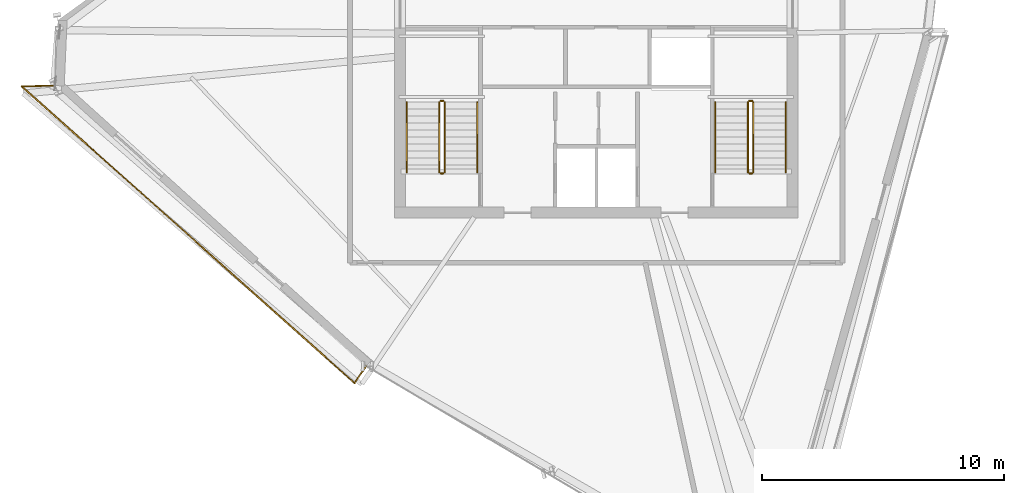
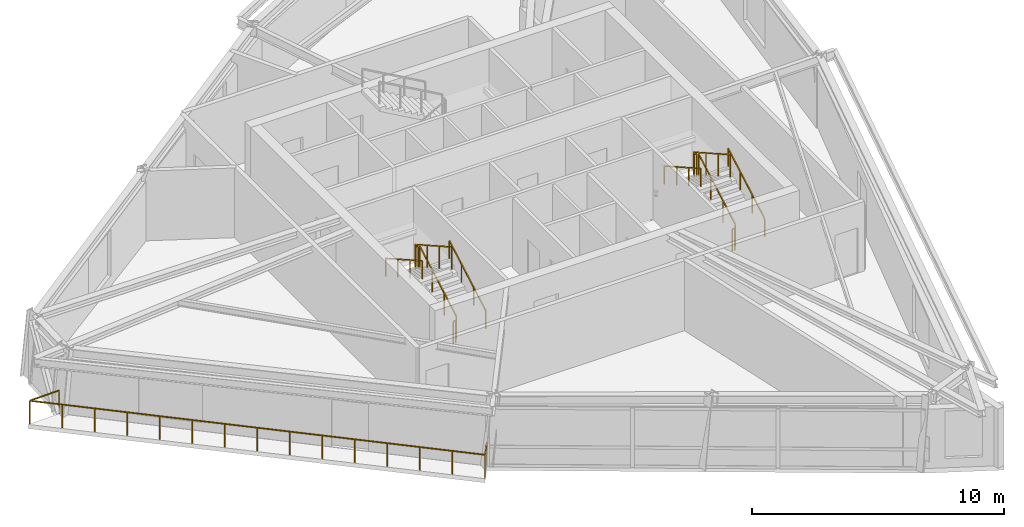
# One storey, part 12 of 14: 13 railings.
"""IFC4 building model written with IfcOpenShell, lengths in metres."""

from ifc_helpers import new_model, si_unit, direction, frame, origin, origin_2d, place, context, subcontext, project, spatial, rectangle, extrude, material, type_object, element, save


model = new_model("IFC4")

# Units and contexts
model_context = context("Model", 3, precision=1e-05, world=origin(), true_north=direction((0.0, 1.0)))
body_context = subcontext(model_context, "Body", "Model", "MODEL_VIEW")
ifc_project = project(units=[si_unit("LENGTHUNIT", "METRE"), si_unit("AREAUNIT", "SQUARE_METRE"), si_unit("VOLUMEUNIT", "CUBIC_METRE"), si_unit("PLANEANGLEUNIT", "RADIAN"), si_unit("MASSUNIT", "GRAM", prefix="KILO")], contexts=[model_context])

# Site, building, storey
site_placement = place(None, origin())
site = spatial("IfcSite", under=ifc_project, at=site_placement, CompositionType="ELEMENT")
building_placement = place(site_placement, origin())
building = spatial("IfcBuilding", under=site, at=building_placement, Name="Olszyna Solenne Hotel", CompositionType="ELEMENT")
storey_placement = place(building_placement, frame((0.0, 0.0, 259.699951171875)))
storey = spatial("IfcBuildingStorey", under=building, at=storey_placement, Name="L69", CompositionType="ELEMENT", Elevation=259.699951171875)

# Railings
ifc_material_1 = material(Name="Anodised bronze aluminium", Category="aluminium")
railing_type_1 = type_object("IfcRailingType", Name="GR-110", PredefinedType="BALUSTRADE", material=ifc_material_1)
railing_1_placement = place(storey_placement, frame((15.58984375, 24.537353515625, 0.0)))
element("IfcRailing", 1, at=railing_1_placement, inside=storey, type_object=railing_type_1, Name="Loggia balcony balustrade guard GR-L69-LG2", PredefinedType="BALUSTRADE", context=body_context, shape_type="SweptSolid", body=[
    extrude(rectangle(XDim=0.048095703125, YDim=0.048095703125, at=origin_2d()), frame((0.0, 0.0, 1.1259765625), z_axis=(-0.999675141716, -0.025487468202, 0.0), x_axis=(0.025487468202, -0.999675141716, 0.0)), (0.0, 0.0, 1.0), 1.37939453125),
    extrude(rectangle(XDim=0.048095703125, YDim=0.048095703125, at=origin_2d()), frame((-1.37890625, -0.03515625, 1.1259765625), z_axis=(0.746533695005, -0.665347610068, 0.0), x_axis=(0.665347610068, 0.746533695005, 0.0)), (0.0, 0.0, 1.0), 18.4580078125),
    extrude(rectangle(XDim=0.048095703125, YDim=0.048095703125, at=origin_2d()), frame((12.400634765625, -12.316162109375, 1.1259765625), z_axis=(0.568804733739, 0.822472598253, 0.0), x_axis=(-0.822472598253, 0.568804733739, 0.0)), (0.0, 0.0, 1.0), 0.845947265625),
    extrude(rectangle(XDim=0.0419921875, YDim=0.0419921875, at=origin_2d()), origin(), (0.0, 0.0, 1.0), 1.101806640625),
    extrude(rectangle(XDim=0.0419921875, YDim=0.0419921875, at=origin_2d()), frame((-1.37890625, -0.03515625, 0.0)), (0.0, 0.0, 1.0), 1.101806640625),
    extrude(rectangle(XDim=0.0419921875, YDim=0.0419921875, at=origin_2d()), frame((-0.39453125, -0.912353515625, 0.0)), (0.0, 0.0, 1.0), 1.101806640625),
    extrude(rectangle(XDim=0.0419921875, YDim=0.0419921875, at=origin_2d()), frame((0.589599609375, -1.78955078125, 0.0)), (0.0, 0.0, 1.0), 1.101806640625),
    extrude(rectangle(XDim=0.0419921875, YDim=0.0419921875, at=origin_2d()), frame((1.57373046875, -2.666748046875, 0.0)), (0.0, 0.0, 1.0), 1.101806640625),
    extrude(rectangle(XDim=0.0419921875, YDim=0.0419921875, at=origin_2d()), frame((2.55810546875, -3.5439453125, 0.0)), (0.0, 0.0, 1.0), 1.101806640625),
    extrude(rectangle(XDim=0.0419921875, YDim=0.0419921875, at=origin_2d()), frame((3.54248046875, -4.421142578125, 0.0)), (0.0, 0.0, 1.0), 1.101806640625),
    extrude(rectangle(XDim=0.0419921875, YDim=0.0419921875, at=origin_2d()), frame((4.526611328125, -5.29833984375, 0.0)), (0.0, 0.0, 1.0), 1.101806640625),
    extrude(rectangle(XDim=0.0419921875, YDim=0.0419921875, at=origin_2d()), frame((5.5107421875, -6.17578125, 0.0)), (0.0, 0.0, 1.0), 1.101806640625),
    extrude(rectangle(XDim=0.0419921875, YDim=0.0419921875, at=origin_2d()), frame((6.4951171875, -7.052978515625, 0.0)), (0.0, 0.0, 1.0), 1.101806640625),
    extrude(rectangle(XDim=0.0419921875, YDim=0.0419921875, at=origin_2d()), frame((7.4794921875, -7.93017578125, 0.0)), (0.0, 0.0, 1.0), 1.101806640625),
    extrude(rectangle(XDim=0.0419921875, YDim=0.0419921875, at=origin_2d()), frame((8.463623046875, -8.807373046875, 0.0)), (0.0, 0.0, 1.0), 1.101806640625),
    extrude(rectangle(XDim=0.0419921875, YDim=0.0419921875, at=origin_2d()), frame((9.44775390625, -9.6845703125, 0.0)), (0.0, 0.0, 1.0), 1.101806640625),
    extrude(rectangle(XDim=0.0419921875, YDim=0.0419921875, at=origin_2d()), frame((10.43212890625, -10.561767578125, 0.0)), (0.0, 0.0, 1.0), 1.101806640625),
    extrude(rectangle(XDim=0.0419921875, YDim=0.0419921875, at=origin_2d()), frame((11.41650390625, -11.43896484375, 0.0)), (0.0, 0.0, 1.0), 1.101806640625),
    extrude(rectangle(XDim=0.0419921875, YDim=0.0419921875, at=origin_2d()), frame((12.400634765625, -12.316162109375, 0.0)), (0.0, 0.0, 1.0), 1.101806640625),
    extrude(rectangle(XDim=0.0419921875, YDim=0.0419921875, at=origin_2d()), frame((12.8818359375, -11.620361328125, 0.0)), (0.0, 0.0, 1.0), 1.101806640625),
])
railing_2_placement = place(storey_placement, frame((31.719970703125, 20.949951171875, 0.16357421875)))
element("IfcRailing", 2, at=railing_2_placement, inside=storey, type_object=railing_type_1, Name="L69 ST1 stair guard 1", PredefinedType="BALUSTRADE", context=body_context, shape_type="SweptSolid", body=[
    extrude(rectangle(XDim=0.048095703125, YDim=0.048095703125, at=origin_2d()), frame((0.0, 0.0, 1.076171875), z_axis=(0.0, 0.870914908162, 0.491433843708), x_axis=(-1.0, 0.0, 0.0)), (0.0, 0.0, 1.0), 3.330078125),
    extrude(rectangle(XDim=0.0419921875, YDim=0.0419921875, at=origin_2d()), origin(), (0.0, 0.0, 1.0), 1.052001953125),
    extrude(rectangle(XDim=0.0419921875, YDim=0.0419921875, at=origin_2d()), frame((0.0, 0.966796875, 0.54541015625)), (0.0, 0.0, 1.0), 1.052001953125),
    extrude(rectangle(XDim=0.0419921875, YDim=0.0419921875, at=origin_2d()), frame((0.0, 1.933349609375, 1.091064453125)), (0.0, 0.0, 1.0), 1.052001953125),
    extrude(rectangle(XDim=0.0419921875, YDim=0.0419921875, at=origin_2d()), frame((0.0, 2.900146484375, 1.636474609375)), (0.0, 0.0, 1.0), 1.052001953125),
])
railing_3_placement = place(storey_placement, frame((31.669921875, 23.89990234375, 1.800048828125)))
element("IfcRailing", 3, at=railing_3_placement, inside=storey, type_object=railing_type_1, Name="L69 ST1 stair guard 2", PredefinedType="BALUSTRADE", context=body_context, shape_type="SweptSolid", body=[
    extrude(rectangle(XDim=0.048095703125, YDim=0.048095703125, at=origin_2d()), frame((0.0, 0.0, 1.076171875), z_axis=(-1.0, 0.0, 0.0), x_axis=(0.0, -1.0, 0.0)), (0.0, 0.0, 1.0), 0.119873046875),
    extrude(rectangle(XDim=0.0419921875, YDim=0.0419921875, at=origin_2d()), origin(), (0.0, 0.0, 1.0), 1.052001953125),
    extrude(rectangle(XDim=0.0419921875, YDim=0.0419921875, at=origin_2d()), frame((-0.119873046875, 0.0, 0.0)), (0.0, 0.0, 1.0), 1.052001953125),
])
railing_4_placement = place(storey_placement, frame((31.5, 23.85009765625, 1.963623046875)))
element("IfcRailing", 4, at=railing_4_placement, inside=storey, type_object=railing_type_1, Name="L69 ST1 stair guard 3", PredefinedType="BALUSTRADE", context=body_context, shape_type="SweptSolid", body=[
    extrude(rectangle(XDim=0.048095703125, YDim=0.048095703125, at=origin_2d()), frame((0.0, 0.0, 1.076171875), z_axis=(0.0, -0.870914908162, 0.491433843708), x_axis=(1.0, 0.0, 0.0)), (0.0, 0.0, 1.0), 3.330078125),
    extrude(rectangle(XDim=0.0419921875, YDim=0.0419921875, at=origin_2d()), origin(), (0.0, 0.0, 1.0), 1.052001953125),
    extrude(rectangle(XDim=0.0419921875, YDim=0.0419921875, at=origin_2d()), frame((0.0, -0.966796875, 0.54541015625)), (0.0, 0.0, 1.0), 1.052001953125),
    extrude(rectangle(XDim=0.0419921875, YDim=0.0419921875, at=origin_2d()), frame((0.0, -1.933349609375, 1.091064453125)), (0.0, 0.0, 1.0), 1.052001953125),
    extrude(rectangle(XDim=0.0419921875, YDim=0.0419921875, at=origin_2d()), frame((0.0, -2.900146484375, 1.636474609375)), (0.0, 0.0, 1.0), 1.052001953125),
])
railing_5_placement = place(storey_placement, frame((31.669921875, 20.89990234375, 0.0)))
element("IfcRailing", 5, at=railing_5_placement, inside=storey, type_object=railing_type_1, Name="L69 ST1 stair guard 4", PredefinedType="BALUSTRADE", context=body_context, shape_type="SweptSolid", body=[
    extrude(rectangle(XDim=0.048095703125, YDim=0.048095703125, at=origin_2d()), frame((0.0, 0.0, 1.076171875), z_axis=(-1.0, 0.0, 0.0), x_axis=(0.0, -1.0, 0.0)), (0.0, 0.0, 1.0), 0.119873046875),
    extrude(rectangle(XDim=0.0419921875, YDim=0.0419921875, at=origin_2d()), origin(), (0.0, 0.0, 1.0), 1.052001953125),
    extrude(rectangle(XDim=0.0419921875, YDim=0.0419921875, at=origin_2d()), frame((-0.119873046875, 0.0, 0.0)), (0.0, 0.0, 1.0), 1.052001953125),
])
railing_6_placement = place(storey_placement, frame((44.5, 20.949951171875, 0.16357421875)))
element("IfcRailing", 6, at=railing_6_placement, inside=storey, type_object=railing_type_1, Name="L69 ST2 stair guard 1", PredefinedType="BALUSTRADE", context=body_context, shape_type="SweptSolid", body=[
    extrude(rectangle(XDim=0.048095703125, YDim=0.048095703125, at=origin_2d()), frame((0.0, 0.0, 1.076171875), z_axis=(0.0, 0.870914908162, 0.491433843708), x_axis=(-1.0, 0.0, 0.0)), (0.0, 0.0, 1.0), 3.330078125),
    extrude(rectangle(XDim=0.0419921875, YDim=0.0419921875, at=origin_2d()), origin(), (0.0, 0.0, 1.0), 1.052001953125),
    extrude(rectangle(XDim=0.0419921875, YDim=0.0419921875, at=origin_2d()), frame((0.0, 0.966796875, 0.54541015625)), (0.0, 0.0, 1.0), 1.052001953125),
    extrude(rectangle(XDim=0.0419921875, YDim=0.0419921875, at=origin_2d()), frame((0.0, 1.933349609375, 1.091064453125)), (0.0, 0.0, 1.0), 1.052001953125),
    extrude(rectangle(XDim=0.0419921875, YDim=0.0419921875, at=origin_2d()), frame((0.0, 2.900146484375, 1.636474609375)), (0.0, 0.0, 1.0), 1.052001953125),
])
railing_7_placement = place(storey_placement, frame((44.449951171875, 23.89990234375, 1.800048828125)))
element("IfcRailing", 7, at=railing_7_placement, inside=storey, type_object=railing_type_1, Name="L69 ST2 stair guard 2", PredefinedType="BALUSTRADE", context=body_context, shape_type="SweptSolid", body=[
    extrude(rectangle(XDim=0.048095703125, YDim=0.048095703125, at=origin_2d()), frame((0.0, 0.0, 1.076171875), z_axis=(-1.0, 0.0, 0.0), x_axis=(0.0, -1.0, 0.0)), (0.0, 0.0, 1.0), 0.119873046875),
    extrude(rectangle(XDim=0.0419921875, YDim=0.0419921875, at=origin_2d()), origin(), (0.0, 0.0, 1.0), 1.052001953125),
    extrude(rectangle(XDim=0.0419921875, YDim=0.0419921875, at=origin_2d()), frame((-0.119873046875, 0.0, 0.0)), (0.0, 0.0, 1.0), 1.052001953125),
])
railing_8_placement = place(storey_placement, frame((44.280029296875, 23.85009765625, 1.963623046875)))
element("IfcRailing", 8, at=railing_8_placement, inside=storey, type_object=railing_type_1, Name="L69 ST2 stair guard 3", PredefinedType="BALUSTRADE", context=body_context, shape_type="SweptSolid", body=[
    extrude(rectangle(XDim=0.048095703125, YDim=0.048095703125, at=origin_2d()), frame((0.0, 0.0, 1.076171875), z_axis=(0.0, -0.870914908162, 0.491433843708), x_axis=(1.0, 0.0, 0.0)), (0.0, 0.0, 1.0), 3.330078125),
    extrude(rectangle(XDim=0.0419921875, YDim=0.0419921875, at=origin_2d()), origin(), (0.0, 0.0, 1.0), 1.052001953125),
    extrude(rectangle(XDim=0.0419921875, YDim=0.0419921875, at=origin_2d()), frame((0.0, -0.966796875, 0.54541015625)), (0.0, 0.0, 1.0), 1.052001953125),
    extrude(rectangle(XDim=0.0419921875, YDim=0.0419921875, at=origin_2d()), frame((0.0, -1.933349609375, 1.091064453125)), (0.0, 0.0, 1.0), 1.052001953125),
    extrude(rectangle(XDim=0.0419921875, YDim=0.0419921875, at=origin_2d()), frame((0.0, -2.900146484375, 1.636474609375)), (0.0, 0.0, 1.0), 1.052001953125),
])
railing_9_placement = place(storey_placement, frame((44.449951171875, 20.89990234375, 0.0)))
element("IfcRailing", 9, at=railing_9_placement, inside=storey, type_object=railing_type_1, Name="L69 ST2 stair guard 4", PredefinedType="BALUSTRADE", context=body_context, shape_type="SweptSolid", body=[
    extrude(rectangle(XDim=0.048095703125, YDim=0.048095703125, at=origin_2d()), frame((0.0, 0.0, 1.076171875), z_axis=(-1.0, 0.0, 0.0), x_axis=(0.0, -1.0, 0.0)), (0.0, 0.0, 1.0), 0.119873046875),
    extrude(rectangle(XDim=0.0419921875, YDim=0.0419921875, at=origin_2d()), origin(), (0.0, 0.0, 1.0), 1.052001953125),
    extrude(rectangle(XDim=0.0419921875, YDim=0.0419921875, at=origin_2d()), frame((-0.119873046875, 0.0, 0.0)), (0.0, 0.0, 1.0), 1.052001953125),
])
ifc_material_2 = material(Name="Steel S355J2", Category="steel")
railing_type_2 = type_object("IfcRailingType", Name="HR-090", PredefinedType="HANDRAIL", material=ifc_material_2)
railing_10_placement = place(storey_placement, frame((33.070068359375, 20.949951171875, 0.16357421875)))
element("IfcRailing", 10, at=railing_10_placement, inside=storey, type_object=railing_type_2, Name="L69 ST1 stair handrail 1", PredefinedType="HANDRAIL", context=body_context, shape_type="SweptSolid", body=[
    extrude(rectangle(XDim=0.048095703125, YDim=0.048095703125, at=origin_2d()), frame((0.0, 0.0, 0.8759765625), z_axis=(0.0, 0.870914908162, 0.491433843708), x_axis=(-1.0, 0.0, 0.0)), (0.0, 0.0, 1.0), 3.330078125),
    extrude(rectangle(XDim=0.0419921875, YDim=0.0419921875, at=origin_2d()), origin(), (0.0, 0.0, 1.0), 0.851806640625),
    extrude(rectangle(XDim=0.0419921875, YDim=0.0419921875, at=origin_2d()), frame((0.0, 0.966796875, 0.54541015625)), (0.0, 0.0, 1.0), 0.851806640625),
    extrude(rectangle(XDim=0.0419921875, YDim=0.0419921875, at=origin_2d()), frame((0.0, 1.933349609375, 1.091064453125)), (0.0, 0.0, 1.0), 0.851806640625),
    extrude(rectangle(XDim=0.0419921875, YDim=0.0419921875, at=origin_2d()), frame((0.0, 2.900146484375, 1.636474609375)), (0.0, 0.0, 1.0), 0.851806640625),
])
railing_11_placement = place(storey_placement, frame((30.14990234375, 23.85009765625, 1.963623046875)))
element("IfcRailing", 11, at=railing_11_placement, inside=storey, type_object=railing_type_2, Name="L69 ST1 stair handrail 2", PredefinedType="HANDRAIL", context=body_context, shape_type="SweptSolid", body=[
    extrude(rectangle(XDim=0.048095703125, YDim=0.048095703125, at=origin_2d()), frame((0.0, 0.0, 0.8759765625), z_axis=(0.0, -0.870914908162, 0.491433843708), x_axis=(1.0, 0.0, 0.0)), (0.0, 0.0, 1.0), 3.330078125),
    extrude(rectangle(XDim=0.0419921875, YDim=0.0419921875, at=origin_2d()), origin(), (0.0, 0.0, 1.0), 0.851806640625),
    extrude(rectangle(XDim=0.0419921875, YDim=0.0419921875, at=origin_2d()), frame((0.0, -0.966796875, 0.54541015625)), (0.0, 0.0, 1.0), 0.851806640625),
    extrude(rectangle(XDim=0.0419921875, YDim=0.0419921875, at=origin_2d()), frame((0.0, -1.933349609375, 1.091064453125)), (0.0, 0.0, 1.0), 0.851806640625),
    extrude(rectangle(XDim=0.0419921875, YDim=0.0419921875, at=origin_2d()), frame((0.0, -2.900146484375, 1.636474609375)), (0.0, 0.0, 1.0), 0.851806640625),
])
railing_12_placement = place(storey_placement, frame((45.85009765625, 20.949951171875, 0.16357421875)))
element("IfcRailing", 12, at=railing_12_placement, inside=storey, type_object=railing_type_2, Name="L69 ST2 stair handrail 1", PredefinedType="HANDRAIL", context=body_context, shape_type="SweptSolid", body=[
    extrude(rectangle(XDim=0.048095703125, YDim=0.048095703125, at=origin_2d()), frame((0.0, 0.0, 0.8759765625), z_axis=(0.0, 0.870914908162, 0.491433843708), x_axis=(-1.0, 0.0, 0.0)), (0.0, 0.0, 1.0), 3.330078125),
    extrude(rectangle(XDim=0.0419921875, YDim=0.0419921875, at=origin_2d()), origin(), (0.0, 0.0, 1.0), 0.851806640625),
    extrude(rectangle(XDim=0.0419921875, YDim=0.0419921875, at=origin_2d()), frame((0.0, 0.966796875, 0.54541015625)), (0.0, 0.0, 1.0), 0.851806640625),
    extrude(rectangle(XDim=0.0419921875, YDim=0.0419921875, at=origin_2d()), frame((0.0, 1.933349609375, 1.091064453125)), (0.0, 0.0, 1.0), 0.851806640625),
    extrude(rectangle(XDim=0.0419921875, YDim=0.0419921875, at=origin_2d()), frame((0.0, 2.900146484375, 1.636474609375)), (0.0, 0.0, 1.0), 0.851806640625),
])
railing_13_placement = place(storey_placement, frame((42.929931640625, 23.85009765625, 1.963623046875)))
element("IfcRailing", 13, at=railing_13_placement, inside=storey, type_object=railing_type_2, Name="L69 ST2 stair handrail 2", PredefinedType="HANDRAIL", context=body_context, shape_type="SweptSolid", body=[
    extrude(rectangle(XDim=0.048095703125, YDim=0.048095703125, at=origin_2d()), frame((0.0, 0.0, 0.8759765625), z_axis=(0.0, -0.870914908162, 0.491433843708), x_axis=(1.0, 0.0, 0.0)), (0.0, 0.0, 1.0), 3.330078125),
    extrude(rectangle(XDim=0.0419921875, YDim=0.0419921875, at=origin_2d()), origin(), (0.0, 0.0, 1.0), 0.851806640625),
    extrude(rectangle(XDim=0.0419921875, YDim=0.0419921875, at=origin_2d()), frame((0.0, -0.966796875, 0.54541015625)), (0.0, 0.0, 1.0), 0.851806640625),
    extrude(rectangle(XDim=0.0419921875, YDim=0.0419921875, at=origin_2d()), frame((0.0, -1.933349609375, 1.091064453125)), (0.0, 0.0, 1.0), 0.851806640625),
    extrude(rectangle(XDim=0.0419921875, YDim=0.0419921875, at=origin_2d()), frame((0.0, -2.900146484375, 1.636474609375)), (0.0, 0.0, 1.0), 0.851806640625),
])

save(model, "model.ifc")
